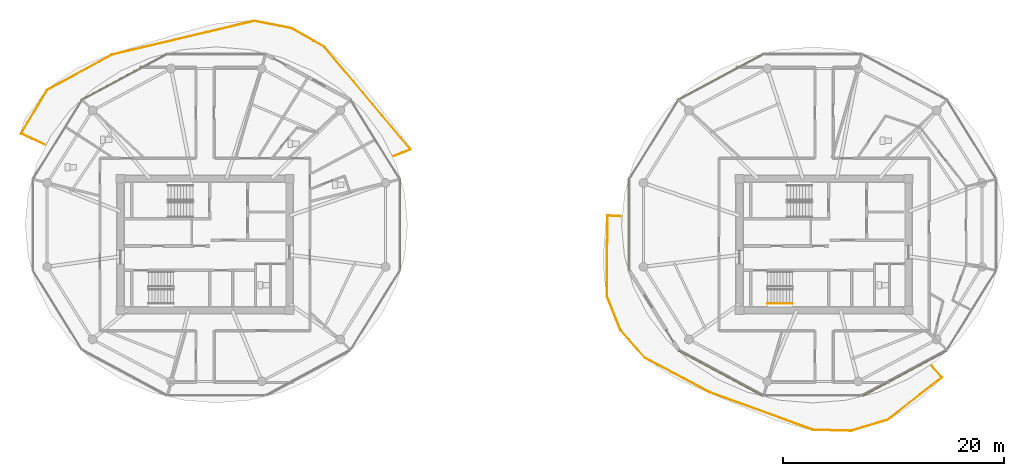
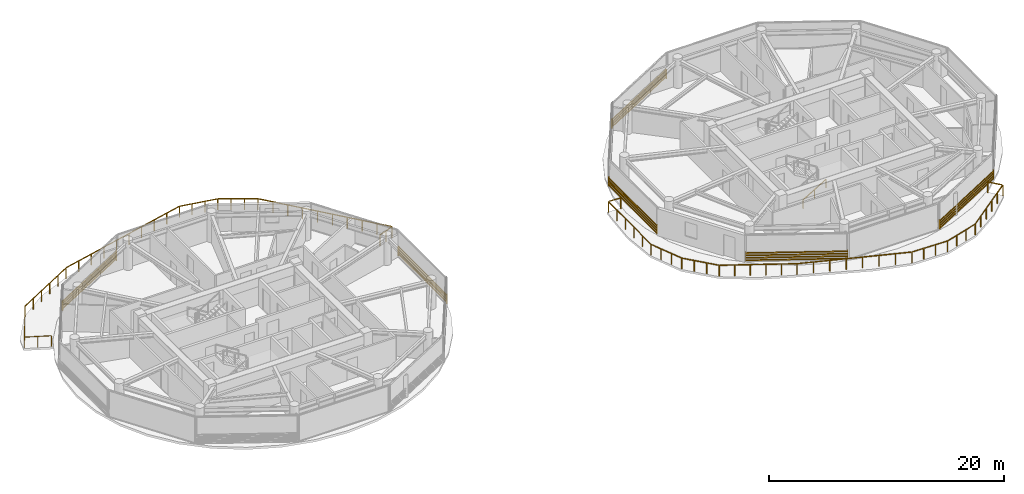
# One storey, part 19 of 21: 6 shading devices, 5 railings.
"""IFC4 building model written with IfcOpenShell, lengths in metres."""

from ifc_helpers import new_model, si_unit, direction, frame, origin, origin_2d, place, context, subcontext, project, spatial, rectangle, extrude, source, transform, mapped, material, type_object, type_shapes, element, save


model = new_model("IFC4")

# Units and contexts
model_context = context("Model", 3, precision=1e-05, world=origin(), true_north=direction((0.0, 1.0)))
body_context = subcontext(model_context, "Body", "Model", "MODEL_VIEW")
ifc_project = project(units=[si_unit("LENGTHUNIT", "METRE"), si_unit("AREAUNIT", "SQUARE_METRE"), si_unit("VOLUMEUNIT", "CUBIC_METRE"), si_unit("PLANEANGLEUNIT", "RADIAN"), si_unit("MASSUNIT", "GRAM", prefix="KILO")], contexts=[model_context])

# Site, building, storey
site_placement = place(None, origin())
site = spatial("IfcSite", under=ifc_project, at=site_placement, CompositionType="ELEMENT")
building_placement = place(site_placement, origin())
building = spatial("IfcBuilding", under=site, at=building_placement, Name="Norrkilde Senior Care Towers", CompositionType="ELEMENT")
storey_placement = place(building_placement, frame((0.0, 0.0, 146.5)))
storey = spatial("IfcBuildingStorey", under=building, at=storey_placement, Name="L45", CompositionType="ELEMENT", Elevation=146.5)

# Railings
ifc_material_1 = material(Name="Anodised Aluminium", Category="aluminium")
railing_type_1 = type_object("IfcRailingType", Name="Balcony Swirl Ribbon Guardrail 1150", PredefinedType="GUARDRAIL", material=ifc_material_1)
railing_1_placement = place(storey_placement, frame((33.72998046875, -15.85546875, 0.0)))
element("IfcRailing", 1, at=railing_1_placement, inside=storey, type_object=railing_type_1, Name="L45 Perimeter Safety Guard 01", PredefinedType="GUARDRAIL", context=body_context, shape_type="SweptSolid", body=[
    extrude(rectangle(XDim=0.048095703125, YDim=0.048095703125, at=origin_2d()), frame((0.0, 0.0, 1.1259765625), z_axis=(-0.957328821988, -0.289000911055, 0.0), x_axis=(0.289000911055, -0.957328821988, 0.0)), (0.0, 0.0, 1.0), 3.39990234375),
    extrude(rectangle(XDim=0.048095703125, YDim=0.048095703125, at=origin_2d()), frame((-3.334716796875, -0.993408203125, 1.1259765625), z_axis=(-0.999640321751, 0.026818410274, 0.0), x_axis=(-0.026818410274, -0.999640321751, 0.0)), (0.0, 0.0, 1.0), 3.368408203125),
    extrude(rectangle(XDim=0.048095703125, YDim=0.048095703125, at=origin_2d()), frame((-6.78125, -0.887939453125, 1.1259765625), z_axis=(-0.939990996675, 0.341199247025, 0.0), x_axis=(-0.341199247025, -0.939990996675, 0.0)), (0.0, 0.0, 1.0), 9.83203125),
    extrude(rectangle(XDim=0.048095703125, YDim=0.048095703125, at=origin_2d()), frame((-16.097900390625, 2.5, 1.1259765625), z_axis=(-0.882943666115, 0.469478947843, 0.0), x_axis=(-0.469478947843, -0.882943666115, 0.0)), (0.0, 0.0, 1.0), 6.534423828125),
    extrude(rectangle(XDim=0.048095703125, YDim=0.048095703125, at=origin_2d()), frame((-21.9306640625, 5.617431640625, 1.1259765625), z_axis=(-0.664336740018, 0.747433405637, 0.0), x_axis=(-0.747433405637, -0.664336740018, 0.0)), (0.0, 0.0, 1.0), 3.2734375),
    extrude(rectangle(XDim=0.048095703125, YDim=0.048095703125, at=origin_2d()), frame((-24.147705078125, 8.132568359375, 1.1259765625), z_axis=(-0.372993750319, 0.927833854859, 0.0), x_axis=(-0.927833854859, -0.372993750319, 0.0)), (0.0, 0.0, 1.0), 3.251708984375),
    extrude(rectangle(XDim=0.048095703125, YDim=0.048095703125, at=origin_2d()), frame((-25.375732421875, 11.228515625, 1.1259765625), z_axis=(0.005863527949, 0.999982809372, 0.0), x_axis=(-0.999982809372, 0.005863527949, 0.0)), (0.0, 0.0, 1.0), 7.204833984375),
    extrude(rectangle(XDim=0.048095703125, YDim=0.048095703125, at=origin_2d()), frame((-25.29248046875, 18.47216796875, 1.1259765625), z_axis=(0.998771987242, -0.04954308732, 0.0), x_axis=(0.04954308732, 0.998771987242, 0.0)), (0.0, 0.0, 1.0), 1.1318359375),
    extrude(rectangle(XDim=0.0419921875, YDim=0.0419921875, at=origin_2d()), origin(), (0.0, 0.0, 1.0), 1.099853515625),
    extrude(rectangle(XDim=0.0419921875, YDim=0.0419921875, at=origin_2d()), frame((-1.097900390625, -0.33154296875, 0.0)), (0.0, 0.0, 1.0), 1.099853515625),
    extrude(rectangle(XDim=0.0419921875, YDim=0.0419921875, at=origin_2d()), frame((-2.196044921875, -0.662841796875, 0.0)), (0.0, 0.0, 1.0), 1.099853515625),
    extrude(rectangle(XDim=0.0419921875, YDim=0.0419921875, at=origin_2d()), frame((-3.2939453125, -0.994384765625, 0.0)), (0.0, 0.0, 1.0), 1.099853515625),
    extrude(rectangle(XDim=0.0419921875, YDim=0.0419921875, at=origin_2d()), frame((-4.443603515625, -0.963623046875, 0.0)), (0.0, 0.0, 1.0), 1.099853515625),
    extrude(rectangle(XDim=0.0419921875, YDim=0.0419921875, at=origin_2d()), frame((-5.59326171875, -0.9326171875, 0.0)), (0.0, 0.0, 1.0), 1.099853515625),
    extrude(rectangle(XDim=0.0419921875, YDim=0.0419921875, at=origin_2d()), frame((-6.742919921875, -0.90185546875, 0.0)), (0.0, 0.0, 1.0), 1.099853515625),
    extrude(rectangle(XDim=0.0419921875, YDim=0.0419921875, at=origin_2d()), frame((-8.07421875, -0.418701171875, 0.0)), (0.0, 0.0, 1.0), 1.099853515625),
    extrude(rectangle(XDim=0.0419921875, YDim=0.0419921875, at=origin_2d()), frame((-9.405517578125, 0.064697265625, 0.0)), (0.0, 0.0, 1.0), 1.099853515625),
    extrude(rectangle(XDim=0.0419921875, YDim=0.0419921875, at=origin_2d()), frame((-10.73681640625, 0.5478515625, 0.0)), (0.0, 0.0, 1.0), 1.099853515625),
    extrude(rectangle(XDim=0.0419921875, YDim=0.0419921875, at=origin_2d()), frame((-12.06787109375, 1.031005859375, 0.0)), (0.0, 0.0, 1.0), 1.099853515625),
    extrude(rectangle(XDim=0.0419921875, YDim=0.0419921875, at=origin_2d()), frame((-13.399169921875, 1.51416015625, 0.0)), (0.0, 0.0, 1.0), 1.099853515625),
    extrude(rectangle(XDim=0.0419921875, YDim=0.0419921875, at=origin_2d()), frame((-14.73046875, 1.99755859375, 0.0)), (0.0, 0.0, 1.0), 1.099853515625),
    extrude(rectangle(XDim=0.0419921875, YDim=0.0419921875, at=origin_2d()), frame((-16.061767578125, 2.480712890625, 0.0)), (0.0, 0.0, 1.0), 1.099853515625),
    extrude(rectangle(XDim=0.0419921875, YDim=0.0419921875, at=origin_2d()), frame((-17.230224609375, 3.10205078125, 0.0)), (0.0, 0.0, 1.0), 1.099853515625),
    extrude(rectangle(XDim=0.0419921875, YDim=0.0419921875, at=origin_2d()), frame((-18.3984375, 3.72314453125, 0.0)), (0.0, 0.0, 1.0), 1.099853515625),
    extrude(rectangle(XDim=0.0419921875, YDim=0.0419921875, at=origin_2d()), frame((-19.56689453125, 4.344482421875, 0.0)), (0.0, 0.0, 1.0), 1.099853515625),
    extrude(rectangle(XDim=0.0419921875, YDim=0.0419921875, at=origin_2d()), frame((-20.735107421875, 4.965576171875, 0.0)), (0.0, 0.0, 1.0), 1.099853515625),
    extrude(rectangle(XDim=0.0419921875, YDim=0.0419921875, at=origin_2d()), frame((-21.903564453125, 5.5869140625, 0.0)), (0.0, 0.0, 1.0), 1.099853515625),
    extrude(rectangle(XDim=0.0419921875, YDim=0.0419921875, at=origin_2d()), frame((-22.646484375, 6.4228515625, 0.0)), (0.0, 0.0, 1.0), 1.099853515625),
    extrude(rectangle(XDim=0.0419921875, YDim=0.0419921875, at=origin_2d()), frame((-23.3896484375, 7.2587890625, 0.0)), (0.0, 0.0, 1.0), 1.099853515625),
    extrude(rectangle(XDim=0.0419921875, YDim=0.0419921875, at=origin_2d()), frame((-24.132568359375, 8.0947265625, 0.0)), (0.0, 0.0, 1.0), 1.099853515625),
    extrude(rectangle(XDim=0.0419921875, YDim=0.0419921875, at=origin_2d()), frame((-24.547119140625, 9.125732421875, 0.0)), (0.0, 0.0, 1.0), 1.099853515625),
    extrude(rectangle(XDim=0.0419921875, YDim=0.0419921875, at=origin_2d()), frame((-24.96142578125, 10.15673828125, 0.0)), (0.0, 0.0, 1.0), 1.099853515625),
    extrude(rectangle(XDim=0.0419921875, YDim=0.0419921875, at=origin_2d()), frame((-25.3759765625, 11.187744140625, 0.0)), (0.0, 0.0, 1.0), 1.099853515625),
    extrude(rectangle(XDim=0.0419921875, YDim=0.0419921875, at=origin_2d()), frame((-25.367431640625, 12.64501953125, 0.0)), (0.0, 0.0, 1.0), 1.099853515625),
    extrude(rectangle(XDim=0.0419921875, YDim=0.0419921875, at=origin_2d()), frame((-25.35888671875, 14.102294921875, 0.0)), (0.0, 0.0, 1.0), 1.099853515625),
    extrude(rectangle(XDim=0.0419921875, YDim=0.0419921875, at=origin_2d()), frame((-25.350341796875, 15.5595703125, 0.0)), (0.0, 0.0, 1.0), 1.099853515625),
    extrude(rectangle(XDim=0.0419921875, YDim=0.0419921875, at=origin_2d()), frame((-25.341796875, 17.016845703125, 0.0)), (0.0, 0.0, 1.0), 1.099853515625),
    extrude(rectangle(XDim=0.0419921875, YDim=0.0419921875, at=origin_2d()), frame((-25.333251953125, 18.47412109375, 0.0)), (0.0, 0.0, 1.0), 1.099853515625),
    extrude(rectangle(XDim=0.0419921875, YDim=0.0419921875, at=origin_2d()), frame((-24.161865234375, 18.416015625, 0.0)), (0.0, 0.0, 1.0), 1.099853515625),
])
railing_2_placement = place(storey_placement, frame((37.76611328125, -10.9873046875, 0.0)))
element("IfcRailing", 2, at=railing_2_placement, inside=storey, type_object=railing_type_1, Name="L45 Perimeter Safety Guard 02", PredefinedType="GUARDRAIL", context=body_context, shape_type="SweptSolid", body=[
    extrude(rectangle(XDim=0.048095703125, YDim=0.048095703125, at=origin_2d()), frame((0.0, 0.0, 1.1259765625), z_axis=(0.649178812242, -0.760635832535, 0.0), x_axis=(0.760635832535, 0.649178812242, 0.0)), (0.0, 0.0, 1.0), 1.3193359375),
    extrude(rectangle(XDim=0.048095703125, YDim=0.048095703125, at=origin_2d()), frame((0.850830078125, -1.059814453125, 1.1259765625), z_axis=(-0.788772189319, -0.614685637832, 0.0), x_axis=(0.614685637832, -0.788772189319, 0.0)), (0.0, 0.0, 1.0), 6.195556640625),
    extrude(rectangle(XDim=0.0419921875, YDim=0.0419921875, at=origin_2d()), origin(), (0.0, 0.0, 1.0), 1.099853515625),
    extrude(rectangle(XDim=0.0419921875, YDim=0.0419921875, at=origin_2d()), frame((0.883056640625, -1.03466796875, 0.0)), (0.0, 0.0, 1.0), 1.099853515625),
    extrude(rectangle(XDim=0.0419921875, YDim=0.0419921875, at=origin_2d()), frame((-0.100830078125, -1.80126953125, 0.0)), (0.0, 0.0, 1.0), 1.099853515625),
    extrude(rectangle(XDim=0.0419921875, YDim=0.0419921875, at=origin_2d()), frame((-1.084716796875, -2.568115234375, 0.0)), (0.0, 0.0, 1.0), 1.099853515625),
    extrude(rectangle(XDim=0.0419921875, YDim=0.0419921875, at=origin_2d()), frame((-2.068359375, -3.334716796875, 0.0)), (0.0, 0.0, 1.0), 1.099853515625),
    extrude(rectangle(XDim=0.0419921875, YDim=0.0419921875, at=origin_2d()), frame((-3.05224609375, -4.1015625, 0.0)), (0.0, 0.0, 1.0), 1.099853515625),
    extrude(rectangle(XDim=0.0419921875, YDim=0.0419921875, at=origin_2d()), frame((-4.0361328125, -4.8681640625, 0.0)), (0.0, 0.0, 1.0), 1.099853515625),
])
railing_3_placement = place(storey_placement, frame((-42.289794921875, 13.97705078125, 0.0)))
element("IfcRailing", 3, at=railing_3_placement, inside=storey, type_object=railing_type_1, Name="L45 Perimeter Safety Guard 03", PredefinedType="GUARDRAIL", context=body_context, shape_type="SweptSolid", body=[
    extrude(rectangle(XDim=0.048095703125, YDim=0.048095703125, at=origin_2d()), frame((0.0, 0.0, 1.1259765625), z_axis=(0.878213690347, 0.478268453995, 0.0), x_axis=(-0.478268453995, 0.878213690347, 0.0)), (0.0, 0.0, 1.0), 6.64208984375),
    extrude(rectangle(XDim=0.048095703125, YDim=0.048095703125, at=origin_2d()), frame((5.908935546875, 3.205810546875, 1.1259765625), z_axis=(0.972950018123, 0.231015718589, 0.0), x_axis=(-0.231015718589, 0.972950018123, 0.0)), (0.0, 0.0, 1.0), 13.162109375),
    extrude(rectangle(XDim=0.048095703125, YDim=0.048095703125, at=origin_2d()), frame((18.794921875, 6.247802734375, 1.1259765625), z_axis=(0.980920310845, -0.194410246055, 0.0), x_axis=(0.194410246055, 0.980920310845, 0.0)), (0.0, 0.0, 1.0), 3.359130859375),
    extrude(rectangle(XDim=0.048095703125, YDim=0.048095703125, at=origin_2d()), frame((22.16552734375, 5.566650390625, 1.1259765625), z_axis=(0.868672681213, -0.495386488425, 0.0), x_axis=(0.495386488425, 0.868672681213, 0.0)), (0.0, 0.0, 1.0), 3.343505859375),
    extrude(rectangle(XDim=0.048095703125, YDim=0.048095703125, at=origin_2d()), frame((25.1318359375, 3.85888671875, 1.1259765625), z_axis=(0.643263493452, -0.765644877206, 0.0), x_axis=(0.765644877206, 0.643263493452, 0.0)), (0.0, 0.0, 1.0), 12.025390625),
    extrude(rectangle(XDim=0.048095703125, YDim=0.048095703125, at=origin_2d()), frame((32.85546875, -5.394287109375, 1.1259765625), z_axis=(-0.93382094171, -0.357740756447, 0.0), x_axis=(0.357740756447, -0.93382094171, 0.0)), (0.0, 0.0, 1.0), 1.55810546875),
    extrude(rectangle(XDim=0.0419921875, YDim=0.0419921875, at=origin_2d()), origin(), (0.0, 0.0, 1.0), 1.099853515625),
    extrude(rectangle(XDim=0.0419921875, YDim=0.0419921875, at=origin_2d()), frame((1.173828125, 0.63916015625, 0.0)), (0.0, 0.0, 1.0), 1.099853515625),
    extrude(rectangle(XDim=0.0419921875, YDim=0.0419921875, at=origin_2d()), frame((2.34765625, 1.278564453125, 0.0)), (0.0, 0.0, 1.0), 1.099853515625),
    extrude(rectangle(XDim=0.0419921875, YDim=0.0419921875, at=origin_2d()), frame((3.521484375, 1.917724609375, 0.0)), (0.0, 0.0, 1.0), 1.099853515625),
    extrude(rectangle(XDim=0.0419921875, YDim=0.0419921875, at=origin_2d()), frame((4.6953125, 2.55712890625, 0.0)), (0.0, 0.0, 1.0), 1.099853515625),
    extrude(rectangle(XDim=0.0419921875, YDim=0.0419921875, at=origin_2d()), frame((5.869140625, 3.1962890625, 0.0)), (0.0, 0.0, 1.0), 1.099853515625),
    extrude(rectangle(XDim=0.0419921875, YDim=0.0419921875, at=origin_2d()), frame((7.30078125, 3.5361328125, 0.0)), (0.0, 0.0, 1.0), 1.099853515625),
    extrude(rectangle(XDim=0.0419921875, YDim=0.0419921875, at=origin_2d()), frame((8.732666015625, 3.876220703125, 0.0)), (0.0, 0.0, 1.0), 1.099853515625),
    extrude(rectangle(XDim=0.0419921875, YDim=0.0419921875, at=origin_2d()), frame((10.164306640625, 4.216064453125, 0.0)), (0.0, 0.0, 1.0), 1.099853515625),
    extrude(rectangle(XDim=0.0419921875, YDim=0.0419921875, at=origin_2d()), frame((11.59619140625, 4.55615234375, 0.0)), (0.0, 0.0, 1.0), 1.099853515625),
    extrude(rectangle(XDim=0.0419921875, YDim=0.0419921875, at=origin_2d()), frame((13.02783203125, 4.89599609375, 0.0)), (0.0, 0.0, 1.0), 1.099853515625),
    extrude(rectangle(XDim=0.0419921875, YDim=0.0419921875, at=origin_2d()), frame((14.459716796875, 5.236083984375, 0.0)), (0.0, 0.0, 1.0), 1.099853515625),
    extrude(rectangle(XDim=0.0419921875, YDim=0.0419921875, at=origin_2d()), frame((15.891357421875, 5.575927734375, 0.0)), (0.0, 0.0, 1.0), 1.099853515625),
    extrude(rectangle(XDim=0.0419921875, YDim=0.0419921875, at=origin_2d()), frame((17.3232421875, 5.916015625, 0.0)), (0.0, 0.0, 1.0), 1.099853515625),
    extrude(rectangle(XDim=0.0419921875, YDim=0.0419921875, at=origin_2d()), frame((18.7548828125, 6.255859375, 0.0)), (0.0, 0.0, 1.0), 1.099853515625),
    extrude(rectangle(XDim=0.0419921875, YDim=0.0419921875, at=origin_2d()), frame((19.8798828125, 6.032958984375, 0.0)), (0.0, 0.0, 1.0), 1.099853515625),
    extrude(rectangle(XDim=0.0419921875, YDim=0.0419921875, at=origin_2d()), frame((21.005126953125, 5.809814453125, 0.0)), (0.0, 0.0, 1.0), 1.099853515625),
    extrude(rectangle(XDim=0.0419921875, YDim=0.0419921875, at=origin_2d()), frame((22.130126953125, 5.5869140625, 0.0)), (0.0, 0.0, 1.0), 1.099853515625),
    extrude(rectangle(XDim=0.0419921875, YDim=0.0419921875, at=origin_2d()), frame((23.121826171875, 5.021240234375, 0.0)), (0.0, 0.0, 1.0), 1.099853515625),
    extrude(rectangle(XDim=0.0419921875, YDim=0.0419921875, at=origin_2d()), frame((24.11376953125, 4.455810546875, 0.0)), (0.0, 0.0, 1.0), 1.099853515625),
    extrude(rectangle(XDim=0.0419921875, YDim=0.0419921875, at=origin_2d()), frame((25.10546875, 3.89013671875, 0.0)), (0.0, 0.0, 1.0), 1.099853515625),
    extrude(rectangle(XDim=0.0419921875, YDim=0.0419921875, at=origin_2d()), frame((25.970703125, 2.860107421875, 0.0)), (0.0, 0.0, 1.0), 1.099853515625),
    extrude(rectangle(XDim=0.0419921875, YDim=0.0419921875, at=origin_2d()), frame((26.836181640625, 1.830078125, 0.0)), (0.0, 0.0, 1.0), 1.099853515625),
    extrude(rectangle(XDim=0.0419921875, YDim=0.0419921875, at=origin_2d()), frame((27.701416015625, 0.80029296875, 0.0)), (0.0, 0.0, 1.0), 1.099853515625),
    extrude(rectangle(XDim=0.0419921875, YDim=0.0419921875, at=origin_2d()), frame((28.56689453125, -0.229736328125, 0.0)), (0.0, 0.0, 1.0), 1.099853515625),
    extrude(rectangle(XDim=0.0419921875, YDim=0.0419921875, at=origin_2d()), frame((29.43212890625, -1.259765625, 0.0)), (0.0, 0.0, 1.0), 1.099853515625),
    extrude(rectangle(XDim=0.0419921875, YDim=0.0419921875, at=origin_2d()), frame((30.297607421875, -2.289794921875, 0.0)), (0.0, 0.0, 1.0), 1.099853515625),
    extrude(rectangle(XDim=0.0419921875, YDim=0.0419921875, at=origin_2d()), frame((31.162841796875, -3.319580078125, 0.0)), (0.0, 0.0, 1.0), 1.099853515625),
    extrude(rectangle(XDim=0.0419921875, YDim=0.0419921875, at=origin_2d()), frame((32.0283203125, -4.349609375, 0.0)), (0.0, 0.0, 1.0), 1.099853515625),
    extrude(rectangle(XDim=0.0419921875, YDim=0.0419921875, at=origin_2d()), frame((32.8935546875, -5.379638671875, 0.0)), (0.0, 0.0, 1.0), 1.099853515625),
    extrude(rectangle(XDim=0.0419921875, YDim=0.0419921875, at=origin_2d()), frame((32.14697265625, -5.66552734375, 0.0)), (0.0, 0.0, 1.0), 1.099853515625),
    extrude(rectangle(XDim=0.0419921875, YDim=0.0419921875, at=origin_2d()), frame((31.400390625, -5.95166015625, 0.0)), (0.0, 0.0, 1.0), 1.099853515625),
])
railing_4_placement = place(storey_placement, frame((-42.5400390625, 9.06396484375, 0.0)))
element("IfcRailing", 4, at=railing_4_placement, inside=storey, type_object=railing_type_1, Name="L45 Perimeter Safety Guard 04", PredefinedType="GUARDRAIL", context=body_context, shape_type="SweptSolid", body=[
    extrude(rectangle(XDim=0.048095703125, YDim=0.048095703125, at=origin_2d()), frame((0.0, 0.0, 1.1259765625), z_axis=(-0.907570898606, 0.419898873543, 0.0), x_axis=(-0.419898873543, -0.907570898606, 0.0)), (0.0, 0.0, 1.0), 2.279052734375),
    extrude(rectangle(XDim=0.048095703125, YDim=0.048095703125, at=origin_2d()), frame((-2.08447265625, 1.00927734375, 1.1259765625), z_axis=(0.513267076508, 0.858228936924, 0.0), x_axis=(-0.858228936924, 0.513267076508, 0.0)), (0.0, 0.0, 1.0), 4.548828125),
    extrude(rectangle(XDim=0.0419921875, YDim=0.0419921875, at=origin_2d()), origin(), (0.0, 0.0, 1.0), 1.099853515625),
    extrude(rectangle(XDim=0.0419921875, YDim=0.0419921875, at=origin_2d()), frame((-1.052734375, 0.487060546875, 0.0)), (0.0, 0.0, 1.0), 1.099853515625),
    extrude(rectangle(XDim=0.0419921875, YDim=0.0419921875, at=origin_2d()), frame((-2.10546875, 0.97412109375, 0.0)), (0.0, 0.0, 1.0), 1.099853515625),
    extrude(rectangle(XDim=0.0419921875, YDim=0.0419921875, at=origin_2d()), frame((-1.5166015625, 1.958984375, 0.0)), (0.0, 0.0, 1.0), 1.099853515625),
    extrude(rectangle(XDim=0.0419921875, YDim=0.0419921875, at=origin_2d()), frame((-0.927734375, 2.943603515625, 0.0)), (0.0, 0.0, 1.0), 1.099853515625),
    extrude(rectangle(XDim=0.0419921875, YDim=0.0419921875, at=origin_2d()), frame((-0.338623046875, 3.92822265625, 0.0)), (0.0, 0.0, 1.0), 1.099853515625),
    extrude(rectangle(XDim=0.0419921875, YDim=0.0419921875, at=origin_2d()), frame((0.250244140625, 4.9130859375, 0.0)), (0.0, 0.0, 1.0), 1.099853515625),
])
ifc_material_2 = material(Name="Nordic Ash Timber", Category="wood")
railing_type_2 = type_object("IfcRailingType", Name="Wall and Stair Handrail 900", PredefinedType="HANDRAIL", material=ifc_material_2)
railing_5_placement = place(storey_placement, frame((22.89990234375, -5.35009765625, 0.16943359375)))
element("IfcRailing", 5, at=railing_5_placement, inside=storey, type_object=railing_type_2, Name="L45 ST-E2 stair handrail 1", PredefinedType="HANDRAIL", context=body_context, shape_type="SweptSolid", body=[
    extrude(rectangle(XDim=0.048095703125, YDim=0.048095703125, at=origin_2d()), frame((0.0, 0.0, 0.8759765625), z_axis=(0.855553338991, 0.0, 0.51771467445), x_axis=(0.0, 1.0, 0.0)), (0.0, 0.0, 1.0), 2.6181640625),
    extrude(rectangle(XDim=0.0419921875, YDim=0.0419921875, at=origin_2d()), origin(), (0.0, 0.0, 1.0), 0.849853515625),
    extrude(rectangle(XDim=0.0419921875, YDim=0.0419921875, at=origin_2d()), frame((1.1201171875, 0.0, 0.677734375)), (0.0, 0.0, 1.0), 0.849853515625),
    extrude(rectangle(XDim=0.0419921875, YDim=0.0419921875, at=origin_2d()), frame((2.239990234375, 0.0, 1.35546875)), (0.0, 0.0, 1.0), 0.849853515625),
])

# Shading devices
ifc_material_3 = material(Name="Architectural Terracotta", Category="masonry")
shading_device_type = type_object("IfcShadingDeviceType", Name="Horizontal Terracotta Baguette Rack", PredefinedType="USERDEFINED", material=ifc_material_3)
shared_shape_1 = source(origin(), body_context, "Body", "SweptSolid", [
    extrude(rectangle(XDim=0.070068359375, YDim=0.110107421875, at=origin_2d()), frame((0.0, 0.090087890625, 0.125), z_axis=(1.0, 0.0, 0.0), x_axis=(0.0, 1.0, 0.0)), (0.0, 0.0, 1.0), 8.741943359375),
    extrude(rectangle(XDim=0.070068359375, YDim=0.110107421875, at=origin_2d()), frame((0.0, 0.090087890625, 0.375), z_axis=(1.0, 0.0, 0.0), x_axis=(0.0, 1.0, 0.0)), (0.0, 0.0, 1.0), 8.741943359375),
    extrude(rectangle(XDim=0.070068359375, YDim=0.110107421875, at=origin_2d()), frame((0.0, 0.090087890625, 0.625), z_axis=(1.0, 0.0, 0.0), x_axis=(0.0, 1.0, 0.0)), (0.0, 0.0, 1.0), 8.741943359375),
    extrude(rectangle(XDim=0.070068359375, YDim=0.110107421875, at=origin_2d()), frame((0.0, 0.090087890625, 0.875), z_axis=(1.0, 0.0, 0.0), x_axis=(0.0, 1.0, 0.0)), (0.0, 0.0, 1.0), 8.741943359375),
    extrude(rectangle(XDim=0.050048828125, YDim=0.1552734375, at=origin_2d()), frame((0.02490234375, 0.047607421875, 0.0)), (0.0, 0.0, 1.0), 1.0),
    extrude(rectangle(XDim=0.050048828125, YDim=0.1552734375, at=origin_2d()), frame((8.716796875, 0.047607421875, 0.0)), (0.0, 0.0, 1.0), 1.0),
])
for number, where, z_axis, x_axis, name in (
    (6, (14.826904296875, 13.074951171875, 0.080078125), (0.0, 0.0, 1.0), (0.881000921608, 0.473119781048, 0.0), "L45 Drum E Terracotta Baguette Screen 03"),
    (7, (22.528564453125, -13.66015625, 0.080078125), (0.0, 0.0, 1.0), (-0.881000921608, 0.473119781048, 0.0), "L45 Drum E Terracotta Baguette Screen 07"),
):
    element("IfcShadingDevice", number, at=place(storey_placement, frame(where, z_axis=z_axis, x_axis=x_axis)), inside=storey, type_object=shading_device_type, Name=name, ObjectType="BAGUETTE", PredefinedType="USERDEFINED", context=body_context, shape_type="MappedRepresentation", body=[
        mapped(shared_shape_1, transform((0.0, 0.0, 0.0), x_axis=(1.0, 0.0, 0.0), y_axis=(0.0, 1.0, 0.0), z_axis=(0.0, 0.0, 1.0), scale=1.0)),
    ])
shared_shape_2 = source(origin(), body_context, "Body", "SweptSolid", [
    extrude(rectangle(XDim=0.070068359375, YDim=0.110107421875, at=origin_2d()), frame((0.0, 0.090087890625, 0.125), z_axis=(1.0, 0.0, 0.0), x_axis=(0.0, 1.0, 0.0)), (0.0, 0.0, 1.0), 8.74169921875),
    extrude(rectangle(XDim=0.070068359375, YDim=0.110107421875, at=origin_2d()), frame((0.0, 0.090087890625, 0.375), z_axis=(1.0, 0.0, 0.0), x_axis=(0.0, 1.0, 0.0)), (0.0, 0.0, 1.0), 8.74169921875),
    extrude(rectangle(XDim=0.070068359375, YDim=0.110107421875, at=origin_2d()), frame((0.0, 0.090087890625, 0.625), z_axis=(1.0, 0.0, 0.0), x_axis=(0.0, 1.0, 0.0)), (0.0, 0.0, 1.0), 8.74169921875),
    extrude(rectangle(XDim=0.070068359375, YDim=0.110107421875, at=origin_2d()), frame((0.0, 0.090087890625, 0.875), z_axis=(1.0, 0.0, 0.0), x_axis=(0.0, 1.0, 0.0)), (0.0, 0.0, 1.0), 8.74169921875),
    extrude(rectangle(XDim=0.050048828125, YDim=0.1552734375, at=origin_2d()), frame((0.02490234375, 0.047607421875, 0.0)), (0.0, 0.0, 1.0), 1.0),
    extrude(rectangle(XDim=0.050048828125, YDim=0.1552734375, at=origin_2d()), frame((8.716796875, 0.047607421875, 0.0)), (0.0, 0.0, 1.0), 1.0),
])
for number, where, z_axis, x_axis, name in (
    (8, (-39.123046875, 13.074951171875, 0.080078125), (0.0, 0.0, 1.0), (0.880997598168, 0.47313299447, 0.0), "L45 Drum W Terracotta Baguette Screen 03"),
    (9, (39.123046875, -9.524169921875, 0.080078125), (0.0, 0.0, 1.0), (-0.880997598168, -0.47313299447, 0.0), "L45 Drum E Terracotta Baguette Screen 09"),
):
    element("IfcShadingDevice", number, at=place(storey_placement, frame(where, z_axis=z_axis, x_axis=x_axis)), inside=storey, type_object=shading_device_type, Name=name, ObjectType="BAGUETTE", PredefinedType="USERDEFINED", context=body_context, shape_type="MappedRepresentation", body=[
        mapped(shared_shape_2, transform((0.0, 0.0, 0.0), x_axis=(1.0, 0.0, 0.0), y_axis=(0.0, 1.0, 0.0), z_axis=(0.0, 0.0, 1.0), scale=1.0)),
    ])
shared_shape_3 = source(origin(), body_context, "Body", "SweptSolid", [
    extrude(rectangle(XDim=0.070068359375, YDim=0.110107421875, at=origin_2d()), frame((0.0, 0.090087890625, 0.125), z_axis=(1.0, 0.0, 0.0), x_axis=(0.0, 1.0, 0.0)), (0.0, 0.0, 1.0), 8.27197265625),
    extrude(rectangle(XDim=0.070068359375, YDim=0.110107421875, at=origin_2d()), frame((0.0, 0.090087890625, 0.375), z_axis=(1.0, 0.0, 0.0), x_axis=(0.0, 1.0, 0.0)), (0.0, 0.0, 1.0), 8.27197265625),
    extrude(rectangle(XDim=0.070068359375, YDim=0.110107421875, at=origin_2d()), frame((0.0, 0.090087890625, 0.625), z_axis=(1.0, 0.0, 0.0), x_axis=(0.0, 1.0, 0.0)), (0.0, 0.0, 1.0), 8.27197265625),
    extrude(rectangle(XDim=0.070068359375, YDim=0.110107421875, at=origin_2d()), frame((0.0, 0.090087890625, 0.875), z_axis=(1.0, 0.0, 0.0), x_axis=(0.0, 1.0, 0.0)), (0.0, 0.0, 1.0), 8.27197265625),
    extrude(rectangle(XDim=0.050048828125, YDim=0.1552734375, at=origin_2d()), frame((0.02490234375, 0.047607421875, 0.0)), (0.0, 0.0, 1.0), 1.0),
    extrude(rectangle(XDim=0.050048828125, YDim=0.1552734375, at=origin_2d()), frame((8.2470703125, 0.047607421875, 0.0)), (0.0, 0.0, 1.0), 1.0),
])
type_shapes(shading_device_type, [shared_shape_1, shared_shape_2, shared_shape_3])
for number, where, z_axis, x_axis, name in (
    (10, (-10.38037109375, 5.911376953125, 0.080078125), (0.0, 0.0, 1.0), (0.0, -1.0, 0.0), "L45 Drum W Terracotta Baguette Screen 11"),
    (11, (10.38037109375, -2.360595703125, 0.080078125), (0.0, 0.0, 1.0), (0.0, 1.0, 0.0), "L45 Drum E Terracotta Baguette Screen 05"),
):
    element("IfcShadingDevice", number, at=place(storey_placement, frame(where, z_axis=z_axis, x_axis=x_axis)), inside=storey, type_object=shading_device_type, Name=name, ObjectType="BAGUETTE", PredefinedType="USERDEFINED", context=body_context, shape_type="MappedRepresentation", body=[
        mapped(shared_shape_3, transform((0.0, 0.0, 0.0), x_axis=(1.0, 0.0, 0.0), y_axis=(0.0, 1.0, 0.0), z_axis=(0.0, 0.0, 1.0), scale=1.0)),
    ])

save(model, "model.ifc")
